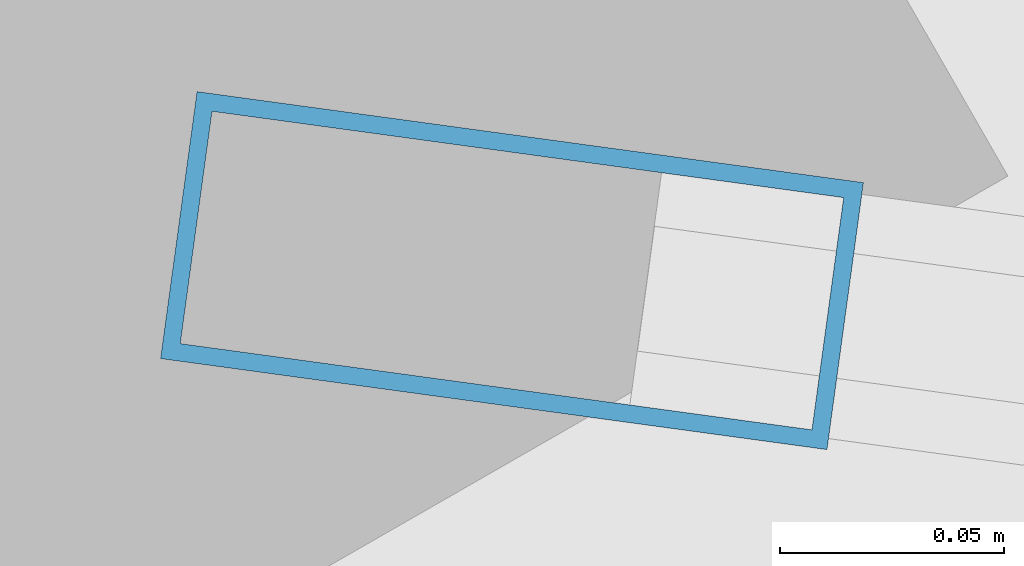
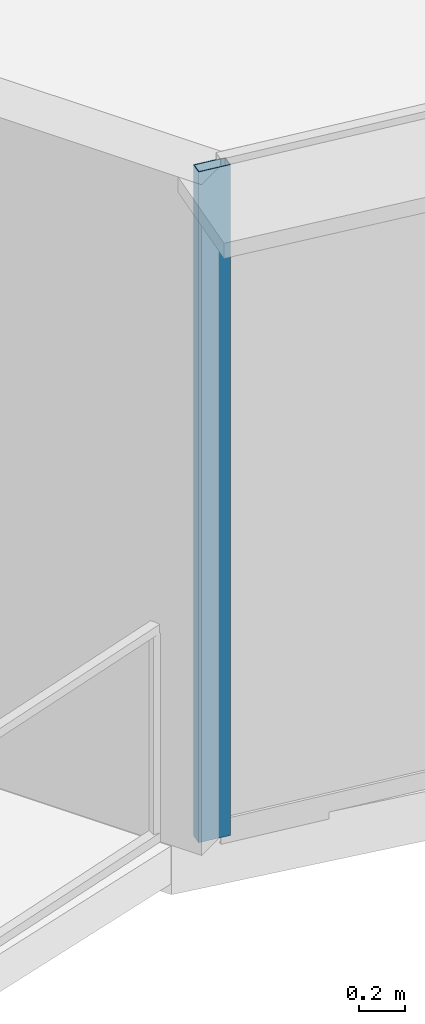
# One storey, part 2 of 37: 1 member, 1 element without a shape of its own.
"""IFC4 building model written with IfcOpenShell, lengths in metres."""

from ifc_helpers import new_model, si_unit, direction, frame, origin, origin_2d, place, context, subcontext, project, spatial, hollow_rectangle, extrude, source, transform, mapped, material, layer, layer_set, material_profile, profile_set, type_object, element, aggregate, save


model = new_model("IFC4")

# Units and contexts
model_context = context("Model", 3, precision=1e-05, world=origin(), true_north=direction((0.0, 1.0)))
body_context = subcontext(model_context, "Body", "Model", "MODEL_VIEW")
ifc_project = project(units=[si_unit("LENGTHUNIT", "METRE"), si_unit("AREAUNIT", "SQUARE_METRE"), si_unit("VOLUMEUNIT", "CUBIC_METRE"), si_unit("PLANEANGLEUNIT", "RADIAN"), si_unit("MASSUNIT", "GRAM", prefix="KILO"), si_unit("THERMODYNAMICTEMPERATUREUNIT", "KELVIN"), si_unit("POWERUNIT", "WATT")], contexts=[model_context])

# Site, building, storey
site_placement = place(None, origin())
site = spatial("IfcSite", under=ifc_project, at=site_placement, CompositionType="ELEMENT")
building_placement = place(site_placement, origin())
building = spatial("IfcBuilding", under=site, at=building_placement, Name="Yunzhuo Pagoda Commons", CompositionType="ELEMENT")
storey_placement = place(building_placement, frame((0.0, 0.0, 196.159912109375)))
storey = spatial("IfcBuildingStorey", under=building, at=storey_placement, Name="L49", CompositionType="ELEMENT", Elevation=196.159912109375)

# Curtain wall, member
ifc_material = material(Name="Anodized aluminium 6063-T6", Category="aluminium")
ifc_layer = layer(ifc_material, 0.14990234375)
ifc_layer_set = layer_set([ifc_layer], Name="Anodized aluminium 6063-T6")
curtain_wall_type = type_object("IfcCurtainWallType", Name="CW-MID Mid-Zone Ribbon Curtain Wall", PredefinedType="NOTDEFINED", material=ifc_layer_set)
curtain_wall_placement = place(storey_placement, origin())
curtain_wall = element("IfcCurtainWall", 1, at=curtain_wall_placement, inside=storey, type_object=curtain_wall_type, Name="L49 curtain wall CW-L49-F1B1", PredefinedType="NOTDEFINED")
ifc_material_profile = material_profile(ifc_material, hollow_rectangle(XDim=0.06005859375, YDim=0.14990234375, WallThickness=0.00390625, at=origin_2d()), Name="Anodized aluminium 6063-T6")
ifc_profile_set = profile_set([ifc_material_profile], Name="Anodized aluminium 6063-T6")
member_type = type_object("IfcMemberType", Name="CW-MID-M Mullion RHS 150x60x4", PredefinedType="MULLION", material=ifc_profile_set)
shared_shape = source(origin(), body_context, "Body", "SweptSolid", [
    extrude(hollow_rectangle(XDim=0.06005859375, YDim=0.14990234375, WallThickness=0.00390625, at=origin_2d()), origin(), (0.0, 0.0, 1.0), 3.5400390625),
])
member_placement = place(storey_placement, frame((13.8623046875, 17.32861328125, 0.0), z_axis=(0.0, 0.0, 1.0), x_axis=(0.135312015534, 0.990803037163, 0.0)))
member = element("IfcMember", 2, at=member_placement, type_object=member_type, Name="CW mullion 1", PredefinedType="MULLION", context=body_context, shape_type="MappedRepresentation", body=[
    mapped(shared_shape, transform((0.0, 0.0, 0.0), scale=1.0)),
])
aggregate(curtain_wall, [member])

save(model, "model.ifc")
